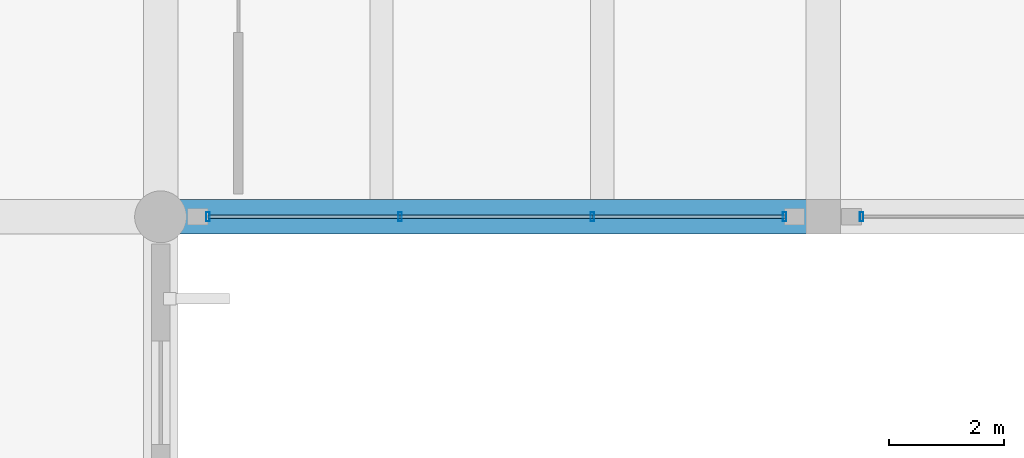
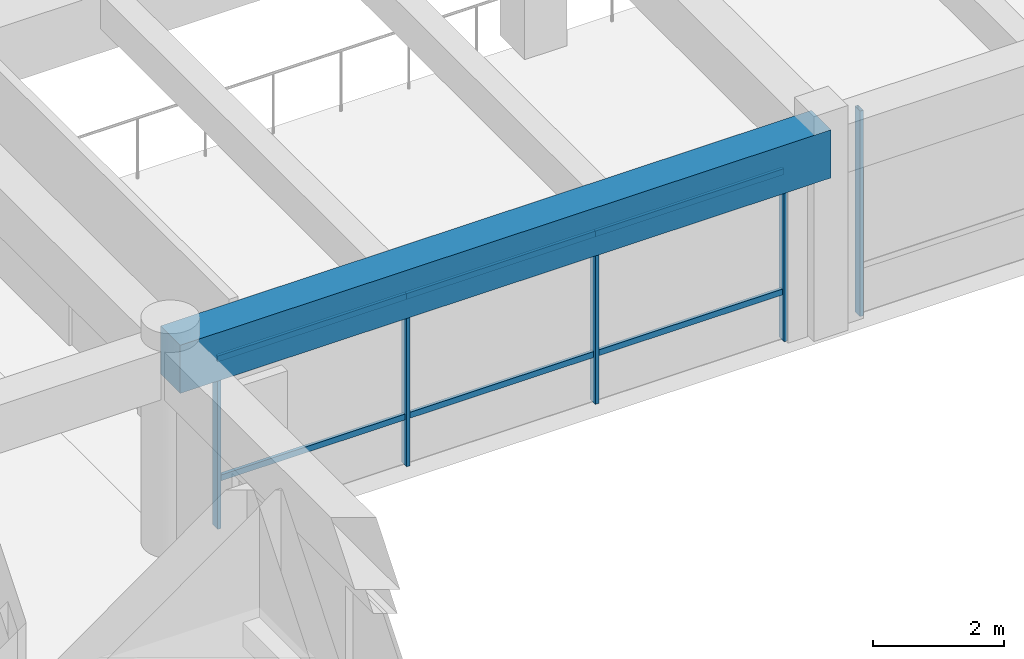
# One storey, part 44 of 98: 11 members, 1 beam, 2 elements without a shape of their own.
"""IFC4 building model written with IfcOpenShell, lengths in metres."""

from ifc_helpers import new_model, si_unit, direction, frame, origin, origin_2d, place, context, subcontext, project, spatial, rectangle, hollow_rectangle, extrude, material, material_profile, profile_set, type_object, element, aggregate, save


model = new_model("IFC4")

# Units and contexts
model_context = context("Model", 3, precision=1e-05, world=origin(), true_north=direction((0.0, 1.0)))
body_context = subcontext(model_context, "Body", "Model", "MODEL_VIEW")
ifc_project = project(units=[si_unit("LENGTHUNIT", "METRE"), si_unit("AREAUNIT", "SQUARE_METRE"), si_unit("VOLUMEUNIT", "CUBIC_METRE"), si_unit("PLANEANGLEUNIT", "RADIAN"), si_unit("MASSUNIT", "GRAM", prefix="KILO")], contexts=[model_context])

# Site, building, storey
site_placement = place(None, origin())
site = spatial("IfcSite", under=ifc_project, at=site_placement, CompositionType="ELEMENT")
building_placement = place(site_placement, origin())
building = spatial("IfcBuilding", under=site, at=building_placement, Name="Ologun Quay Terminus", CompositionType="ELEMENT")
storey_placement = place(building_placement, frame((0.0, 0.0, 4.199951171875)))
storey = spatial("IfcBuildingStorey", under=building, at=storey_placement, Name="L01", CompositionType="ELEMENT", Elevation=4.199951171875)

# Curtain wall, members
ifc_material_1 = material(Name="Aluminium 6063-T6", Category="aluminium")
curtain_wall_type = type_object("IfcCurtainWallType", Name="Forecourt Mezzanine Curtain Wall 10700x3850", PredefinedType="USERDEFINED", material=ifc_material_1)
curtain_wall_1_placement = place(storey_placement, origin())
curtain_wall_1 = element("IfcCurtainWall", 1, at=curtain_wall_1_placement, inside=storey, type_object=curtain_wall_type, Name="CW-04 Curtain Wall CW-L01-016", ObjectType="UNITISED CURTAIN WALL", PredefinedType="USERDEFINED")
ifc_material_2 = material(Name="Aluminium 6063-T6", Category="aluminium")
ifc_material_profile_1 = material_profile(ifc_material_2, hollow_rectangle(XDim=0.06005859375, YDim=0.159912109375, WallThickness=0.00390625, at=origin_2d()), Name="ALU 160x60x4")
ifc_profile_set_1 = profile_set([ifc_material_profile_1], Name="Aluminium 6063-T6")
member_type_1 = type_object("IfcMemberType", Name="Curtain Wall Standard Mullion 160x65", PredefinedType="MULLION", material=ifc_profile_set_1)
member_1_placement = place(storey_placement, frame((127.320068359375, 27.199951171875, 0.0), z_axis=(0.0, 0.0, 1.0), x_axis=(1.0, 0.0, 0.0)))
member_1 = element("IfcMember", 2, at=member_1_placement, type_object=member_type_1, Name="CW-L01-016 Mullion 1", PredefinedType="MULLION", context=body_context, shape_type="SweptSolid", body=[
    extrude(hollow_rectangle(XDim=0.06005859375, YDim=0.159912109375, WallThickness=0.00390625, at=origin_2d()), origin(), (0.0, 0.0, 1.0), 3.840087890625),
])
member_2_placement = place(storey_placement, frame((130.65673828125, 27.199951171875, 0.0), z_axis=(0.0, 0.0, 1.0), x_axis=(1.0, 0.0, 0.0)))
member_2 = element("IfcMember", 3, at=member_2_placement, type_object=member_type_1, Name="CW-L01-016 Mullion 2", PredefinedType="MULLION", context=body_context, shape_type="SweptSolid", body=[
    extrude(hollow_rectangle(XDim=0.06005859375, YDim=0.159912109375, WallThickness=0.00390625, at=origin_2d()), origin(), (0.0, 0.0, 1.0), 3.840087890625),
])
member_3_placement = place(storey_placement, frame((133.993408203125, 27.199951171875, 0.0), z_axis=(0.0, 0.0, 1.0), x_axis=(1.0, 0.0, 0.0)))
member_3 = element("IfcMember", 4, at=member_3_placement, type_object=member_type_1, Name="CW-L01-016 Mullion 3", PredefinedType="MULLION", context=body_context, shape_type="SweptSolid", body=[
    extrude(hollow_rectangle(XDim=0.06005859375, YDim=0.159912109375, WallThickness=0.00390625, at=origin_2d()), origin(), (0.0, 0.0, 1.0), 3.840087890625),
])
member_4_placement = place(storey_placement, frame((137.330078125, 27.199951171875, 0.0), z_axis=(0.0, 0.0, 1.0), x_axis=(1.0, 0.0, 0.0)))
member_4 = element("IfcMember", 5, at=member_4_placement, type_object=member_type_1, Name="CW-L01-016 Mullion 4", PredefinedType="MULLION", context=body_context, shape_type="SweptSolid", body=[
    extrude(hollow_rectangle(XDim=0.06005859375, YDim=0.159912109375, WallThickness=0.00390625, at=origin_2d()), origin(), (0.0, 0.0, 1.0), 3.840087890625),
])

# Curtain wall, member
curtain_wall_2_placement = place(storey_placement, origin())
curtain_wall_2 = element("IfcCurtainWall", 6, at=curtain_wall_2_placement, inside=storey, type_object=curtain_wall_type, Name="CW-04 Curtain Wall CW-L01-017", ObjectType="UNITISED CURTAIN WALL", PredefinedType="USERDEFINED")
member_5_placement = place(storey_placement, frame((138.669921875, 27.199951171875, 0.0), z_axis=(0.0, 0.0, 1.0), x_axis=(1.0, 0.0, 0.0)))
member_5 = element("IfcMember", 7, at=member_5_placement, type_object=member_type_1, Name="CW-L01-017 Mullion 1", PredefinedType="MULLION", context=body_context, shape_type="SweptSolid", body=[
    extrude(hollow_rectangle(XDim=0.06005859375, YDim=0.159912109375, WallThickness=0.00390625, at=origin_2d()), origin(), (0.0, 0.0, 1.0), 3.840087890625),
])
aggregate(curtain_wall_2, [member_5])

# Member
ifc_material_3 = material(Name="Aluminium 6063-T6", Category="aluminium")
ifc_material_profile_2 = material_profile(ifc_material_3, hollow_rectangle(XDim=0.054931640625, YDim=0.110107421875, WallThickness=0.00390625, at=origin_2d()), Name="ALU 110x55x4")
ifc_profile_set_2 = profile_set([ifc_material_profile_2], Name="Aluminium 6063-T6")
member_type_2 = type_object("IfcMemberType", Name="Curtain Wall Standard Transom 110x55", PredefinedType="USERDEFINED", material=ifc_profile_set_2)
member_6_placement = place(storey_placement, frame((127.320068359375, 27.199951171875, 0.900146484375), z_axis=(1.0, 0.0, 0.0), x_axis=(0.0, 1.0, 0.0)))
member_6 = element("IfcMember", 8, at=member_6_placement, type_object=member_type_2, Name="CW-L01-016 Transom B1-1", ObjectType="TRANSOM", PredefinedType="USERDEFINED", context=body_context, shape_type="SweptSolid", body=[
    extrude(hollow_rectangle(XDim=0.054931640625, YDim=0.110107421875, WallThickness=0.00390625, at=origin_2d()), origin(), (0.0, 0.0, 1.0), 3.336669921875),
])

member_7_placement = place(storey_placement, frame((127.320068359375, 27.199951171875, 3.14013671875), z_axis=(1.0, 0.0, 0.0), x_axis=(0.0, 1.0, 0.0)))
member_7 = element("IfcMember", 9, at=member_7_placement, type_object=member_type_2, Name="CW-L01-016 Transom B1-2", ObjectType="TRANSOM", PredefinedType="USERDEFINED", context=body_context, shape_type="SweptSolid", body=[
    extrude(hollow_rectangle(XDim=0.054931640625, YDim=0.110107421875, WallThickness=0.00390625, at=origin_2d()), origin(), (0.0, 0.0, 1.0), 3.336669921875),
])

member_8_placement = place(storey_placement, frame((130.65673828125, 27.199951171875, 0.900146484375), z_axis=(1.0, 0.0, 0.0), x_axis=(0.0, 1.0, 0.0)))
member_8 = element("IfcMember", 10, at=member_8_placement, type_object=member_type_2, Name="CW-L01-016 Transom B2-1", ObjectType="TRANSOM", PredefinedType="USERDEFINED", context=body_context, shape_type="SweptSolid", body=[
    extrude(hollow_rectangle(XDim=0.054931640625, YDim=0.110107421875, WallThickness=0.00390625, at=origin_2d()), origin(), (0.0, 0.0, 1.0), 3.336669921875),
])

member_9_placement = place(storey_placement, frame((130.65673828125, 27.199951171875, 3.14013671875), z_axis=(1.0, 0.0, 0.0), x_axis=(0.0, 1.0, 0.0)))
member_9 = element("IfcMember", 11, at=member_9_placement, type_object=member_type_2, Name="CW-L01-016 Transom B2-2", ObjectType="TRANSOM", PredefinedType="USERDEFINED", context=body_context, shape_type="SweptSolid", body=[
    extrude(hollow_rectangle(XDim=0.054931640625, YDim=0.110107421875, WallThickness=0.00390625, at=origin_2d()), origin(), (0.0, 0.0, 1.0), 3.336669921875),
])

member_10_placement = place(storey_placement, frame((133.993408203125, 27.199951171875, 0.900146484375), z_axis=(1.0, 0.0, 0.0), x_axis=(0.0, 1.0, 0.0)))
member_10 = element("IfcMember", 12, at=member_10_placement, type_object=member_type_2, Name="CW-L01-016 Transom B3-1", ObjectType="TRANSOM", PredefinedType="USERDEFINED", context=body_context, shape_type="SweptSolid", body=[
    extrude(hollow_rectangle(XDim=0.054931640625, YDim=0.110107421875, WallThickness=0.00390625, at=origin_2d()), origin(), (0.0, 0.0, 1.0), 3.336669921875),
])

member_11_placement = place(storey_placement, frame((133.993408203125, 27.199951171875, 3.14013671875), z_axis=(1.0, 0.0, 0.0), x_axis=(0.0, 1.0, 0.0)))
member_11 = element("IfcMember", 13, at=member_11_placement, type_object=member_type_2, Name="CW-L01-016 Transom B3-2", ObjectType="TRANSOM", PredefinedType="USERDEFINED", context=body_context, shape_type="SweptSolid", body=[
    extrude(hollow_rectangle(XDim=0.054931640625, YDim=0.110107421875, WallThickness=0.00390625, at=origin_2d()), origin(), (0.0, 0.0, 1.0), 3.336669921875),
])

aggregate(curtain_wall_1, [member_1, member_2, member_3, member_4, member_6, member_7, member_8, member_9, member_10, member_11])

# Beam
ifc_material_4 = material(Name="Concrete C40/50", Category="concrete")
ifc_material_profile_3 = material_profile(ifc_material_4, rectangle(XDim=0.60009765625, YDim=0.89990234375, at=origin_2d()), Name="RC 600x900")
ifc_profile_set_3 = profile_set([ifc_material_profile_3], Name="Concrete C40/50")
beam_type = type_object("IfcBeamType", Name="Station Frame Girder 600x900", PredefinedType="BEAM", material=ifc_profile_set_3)
beam_placement = place(storey_placement, frame((126.5, 27.199951171875, 3.400146484375), z_axis=(1.0, 0.0, 0.0), x_axis=(0.0, 1.0, 0.0)))
element("IfcBeam", 14, at=beam_placement, inside=storey, type_object=beam_type, Name="B3 Beam 12/D L01", PredefinedType="BEAM", context=body_context, shape_type="SweptSolid", body=[
    extrude(rectangle(XDim=0.60009765625, YDim=0.89990234375, at=origin_2d()), origin(), (0.0, 0.0, 1.0), 11.5),
])

save(model, "model.ifc")
